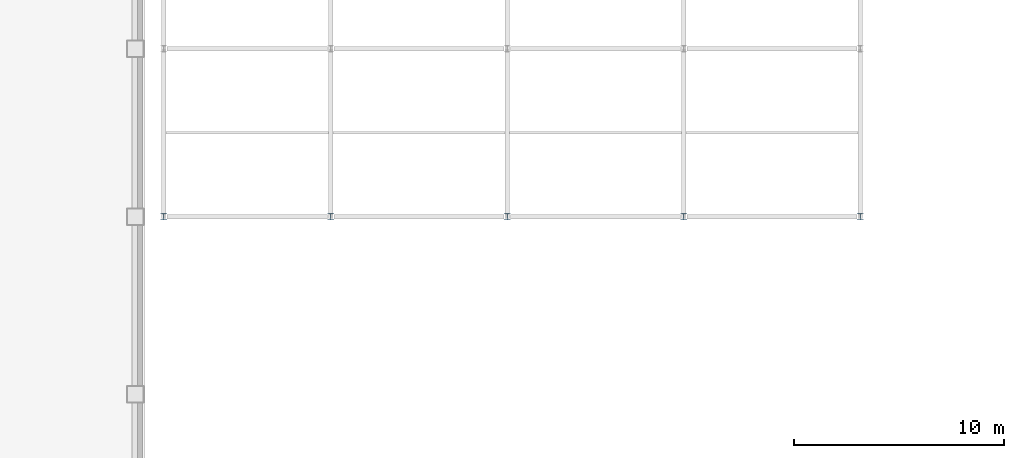
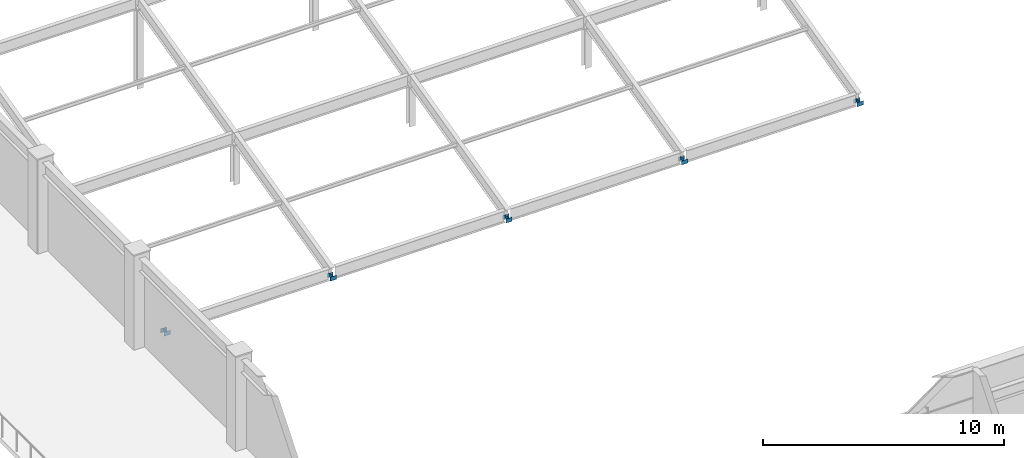
# One storey, part 15 of 93: 5 columns.
"""IFC4 building model written with IfcOpenShell, lengths in metres."""

import ifcopenshell
import ifcopenshell.guid

model = None  # the IFC model being written
_history = None  # IfcOwnerHistory: only IFC2X3 demands one
_inside = {}  # id of a spatial element -> (the spatial element, [elements in it])
_under = {}  # id of a project, library or spatial element -> (it, [spatial elements below it])
_declared = {}  # id of a project -> (the project, [libraries it declares])
_typed = {}  # id of a type object -> (the type object, [elements of that type])
_made_of = {}  # id of a material, layer set ... -> (it, [elements and type objects made of it])


def new_model(schema):
    """Start an empty IFC model of exactly this schema.

    Asked for "IFC4X3", IfcOpenShell would pick the latest addendum, in which some entities
    have other attributes; the version numbers below select the first issue.
    IFC2X3 requires an IfcOwnerHistory on every rooted entity: one is made here for all.
    """
    global model, _history
    if schema == "IFC4X3":
        model = ifcopenshell.file(schema_version=(4, 3, 0, 0))
    else:
        model = ifcopenshell.file(schema=schema)
    _inside.clear()
    _under.clear()
    _declared.clear()
    _typed.clear()
    _made_of.clear()
    _history = None
    if model.schema == "IFC2X3":
        org = make("IfcOrganization", Name="unknown")
        user = make(
            "IfcPersonAndOrganization",
            ThePerson=make("IfcPerson", FamilyName="unknown"),
            TheOrganization=org,
        )
        app = make(
            "IfcApplication",
            ApplicationDeveloper=org,
            Version="unknown",
            ApplicationFullName="unknown",
            ApplicationIdentifier="unknown",
        )
        _history = make(
            "IfcOwnerHistory",
            OwningUser=user,
            OwningApplication=app,
            ChangeAction="ADDED",
            CreationDate=0,
        )
    return model


def make(cls, **values):
    """One entity of the class cls with the attributes given. An attribute that is None is left unset."""
    return model.create_entity(
        cls, **{name: value for name, value in values.items() if value is not None}
    )


def rooted(cls, **values):
    """An entity with a GlobalId (a new one), such as an element, a storey or a relation."""
    return make(cls, GlobalId=ifcopenshell.guid.new(), OwnerHistory=_history, **values)


def si_unit(unit_type, name, prefix=None):
    """IfcSIUnit, for example si_unit("LENGTHUNIT", "METRE", prefix="MILLI")."""
    return make("IfcSIUnit", UnitType=unit_type, Prefix=prefix, Name=name)


def assignment(units):
    """IfcUnitAssignment: the units of a project."""
    return None if units is None else make("IfcUnitAssignment", Units=units)


def point(xyz):
    """IfcCartesianPoint."""
    return None if xyz is None else make("IfcCartesianPoint", Coordinates=xyz)


def direction(xyz):
    """IfcDirection."""
    return None if xyz is None else make("IfcDirection", DirectionRatios=xyz)


def frame(location, z_axis=None, x_axis=None):
    """IfcAxis2Placement3D, a coordinate frame: its origin and axes. An axis left out is left unset."""
    return make(
        "IfcAxis2Placement3D",
        Location=point(location),
        Axis=direction(z_axis),
        RefDirection=direction(x_axis),
    )


def frame_2d(location, x_axis=None):
    """IfcAxis2Placement2D, a coordinate frame in the plane: its origin and x axis."""
    return make(
        "IfcAxis2Placement2D", Location=point(location), RefDirection=direction(x_axis)
    )


def origin():
    """The frame at (0, 0, 0) with its axes left unset."""
    return frame((0.0, 0.0, 0.0))


def origin_2d():
    """The frame at (0, 0) in the plane with its x axis left unset."""
    return frame_2d((0.0, 0.0))


def place(relative_to, where):
    """IfcLocalPlacement: puts the frame where relative to a parent placement (None: the world)."""
    return make(
        "IfcLocalPlacement", PlacementRelTo=relative_to, RelativePlacement=where
    )


def context(
    kind, dimensions, precision=None, world=None, true_north=None, identifier=None
):
    """IfcGeometricRepresentationContext, for example the 3D "Model" context."""
    return make(
        "IfcGeometricRepresentationContext",
        ContextIdentifier=identifier,
        ContextType=kind,
        CoordinateSpaceDimension=dimensions,
        Precision=precision,
        WorldCoordinateSystem=world,
        TrueNorth=true_north,
    )


def subcontext(parent, identifier, kind, view, scale=None):
    """IfcGeometricRepresentationSubContext, for example "Body" below "Model"."""
    return make(
        "IfcGeometricRepresentationSubContext",
        ContextIdentifier=identifier,
        ContextType=kind,
        ParentContext=parent,
        TargetScale=scale,
        TargetView=view,
    )


def project(units=None, contexts=None):
    """IfcProject with its units and contexts."""
    return rooted(
        "IfcProject",
        Name="project",
        RepresentationContexts=contexts,
        UnitsInContext=assignment(units),
    )


def spatial(cls, under=None, at=None, **own):
    """A site, building, storey or space (cls), placed at a placement, below another one or the project."""
    s = rooted(cls, ObjectPlacement=at, **own)
    if under is not None:
        _under.setdefault(under.id(), (under, []))[1].append(s)
    return s


def profile(cls, at=None, kind="AREA", **sizes):
    """A parametric profile (cls). Its sizes go by their IFC names, for example OverallWidth=200.0."""
    return make(cls, ProfileType=kind, Position=at, **sizes)


def i_section(**sizes):
    """IfcIShapeProfileDef."""
    return profile("IfcIShapeProfileDef", **sizes)


def extrude(swept, where, along, depth):
    """IfcExtrudedAreaSolid: the profile swept, set in the frame where, extruded along a direction by depth."""
    return make(
        "IfcExtrudedAreaSolid",
        SweptArea=swept,
        Position=where,
        ExtrudedDirection=direction(along),
        Depth=depth,
    )


def shape(context_of_items, identifier, shape_type, items):
    """IfcShapeRepresentation: the items that make up one representation, for example the "Body"."""
    return make(
        "IfcShapeRepresentation",
        ContextOfItems=context_of_items,
        RepresentationIdentifier=identifier,
        RepresentationType=shape_type,
        Items=items,
    )


def material(Name=None, Category=None):
    """IfcMaterial."""
    return make("IfcMaterial", Name=Name, Category=Category)


def material_profile(
    of_material, cross_section, Name=None, Category=None, Priority=None
):
    """IfcMaterialProfile: a cross section and its material."""
    return make(
        "IfcMaterialProfile",
        Name=Name,
        Material=of_material,
        Profile=cross_section,
        Priority=Priority,
        Category=Category,
    )


def profile_set(profiles, Name=None, composite=None):
    """IfcMaterialProfileSet."""
    return make(
        "IfcMaterialProfileSet",
        Name=Name,
        MaterialProfiles=profiles,
        CompositeProfile=composite,
    )


def made_of(thing, what):
    """Note that an element or type object is made of a material, layer set ...; save() writes the relation."""
    if what is not None:
        _made_of.setdefault(what.id(), (what, []))[1].append(thing)
    return thing


def type_object(cls, material=None, **own):
    """A type object (cls), such as IfcWallType, which elements share."""
    return made_of(rooted(cls, **own), material)


def element(
    cls,
    number,
    at=None,
    inside=None,
    cuts=None,
    type_object=None,
    material=None,
    context=None,
    identifier="Body",
    shape_type=None,
    held_by="IfcProductDefinitionShape",
    body=None,
    shapes=None,
    **own,
):
    """One element of the class cls, such as IfcWall. Its Tag is "e" and its number.

    at: its placement. inside: the storey or other place that contains it. cuts: it is an
    opening in that element (IfcRelVoidsElement). A single representation is given by context,
    identifier, shape_type and body (its items); several are given by shapes. held_by: the class
    of the entity that holds the representations. save() writes the other relations.
    """
    e = rooted(cls, Tag="e%d" % number, ObjectPlacement=at, **own)
    if body is not None:
        shapes = [shape(context, identifier, shape_type, body)]
    if shapes is not None:
        e.Representation = make(held_by, Representations=shapes)
    if inside is not None:
        _inside.setdefault(inside.id(), (inside, []))[1].append(e)
    if cuts is not None:
        rooted(
            "IfcRelVoidsElement", RelatingBuildingElement=cuts, RelatedOpeningElement=e
        )
    if type_object is not None:
        _typed.setdefault(type_object.id(), (type_object, []))[1].append(e)
    return made_of(e, material)


def aggregate(whole, parts):
    """IfcRelAggregates: a whole, such as a stair, and the parts it consists of."""
    return rooted("IfcRelAggregates", RelatingObject=whole, RelatedObjects=parts)


def save(model, path):
    """Write the relations noted so far, then the file.

    IfcRelAggregates (storeys below a building ...), IfcRelContainedInSpatialStructure (elements
    in a storey), IfcRelDefinesByType, IfcRelAssociatesMaterial and IfcRelDeclares: one each for
    every whole, place, type object, material and project.
    """
    for whole, parts in _under.values():
        aggregate(whole, parts)
    for where, things in _inside.values():
        rooted(
            "IfcRelContainedInSpatialStructure",
            RelatedElements=things,
            RelatingStructure=where,
        )
    for kind, things in _typed.values():
        rooted("IfcRelDefinesByType", RelatedObjects=things, RelatingType=kind)
    for what, things in _made_of.values():
        rooted("IfcRelAssociatesMaterial", RelatedObjects=things, RelatingMaterial=what)
    for by, libraries in _declared.values():
        rooted("IfcRelDeclares", RelatingContext=by, RelatedDefinitions=libraries)
    model.write(path)


model = new_model("IFC4")

# Units and contexts
model_context = context("Model", 3, precision=1e-05, world=origin(), true_north=direction((0.0, 1.0)))
body_context = subcontext(model_context, "Body", "Model", "MODEL_VIEW")
ifc_project = project(units=[si_unit("LENGTHUNIT", "METRE"), si_unit("AREAUNIT", "SQUARE_METRE"), si_unit("VOLUMEUNIT", "CUBIC_METRE"), si_unit("PLANEANGLEUNIT", "RADIAN"), si_unit("MASSUNIT", "GRAM", prefix="KILO")], contexts=[model_context])

# Site, building, storey
site_placement = place(None, origin())
site = spatial("IfcSite", under=ifc_project, at=site_placement, CompositionType="ELEMENT")
building_placement = place(site_placement, origin())
building = spatial("IfcBuilding", under=site, at=building_placement, Name="Kazehara Bluff Congress Hotel", CompositionType="ELEMENT")
storey_placement = place(building_placement, frame((0.0, 0.0, 15.0)))
storey = spatial("IfcBuildingStorey", under=building, at=storey_placement, Name="L03", CompositionType="ELEMENT", Elevation=15.0)

# Columns
ifc_material = material(Name="Steel SN400B", Category="steel")
ifc_material_profile = material_profile(ifc_material, i_section(OverallWidth=0.300048828125, OverallDepth=0.300048828125, WebThickness=0.010009765625, FlangeThickness=0.014892578125, FilletRadius=0.012939453125, at=origin_2d()))
ifc_profile_set = profile_set([ifc_material_profile], Name="Steel SN400B")
column_type = type_object("IfcColumnType", Name="TP-C-11", PredefinedType="COLUMN", material=ifc_profile_set)
for number, where, z_axis, x_axis, name in (
    (1, (59.699951171875, 80.89990234375, 0.0), (0.0, 0.0, 1.0), (1.0, 0.0, 0.0), "Spa clerestory roof post (59.70,80.90)"),
    (2, (67.64990234375, 80.89990234375, 0.0), (0.0, 0.0, 1.0), (1.0, 0.0, 0.0), "Spa clerestory roof post (67.65,80.90)"),
    (3, (76.050048828125, 80.89990234375, 0.0), (0.0, 0.0, 1.0), (1.0, 0.0, 0.0), "Spa clerestory roof post (76.05,80.90)"),
    (4, (84.449951171875, 80.89990234375, 0.0), (0.0, 0.0, 1.0), (1.0, 0.0, 0.0), "Spa clerestory roof post (84.45,80.90)"),
    (5, (92.85009765625, 80.89990234375, 0.0), (0.0, 0.0, 1.0), (1.0, 0.0, 0.0), "Spa clerestory roof post (92.85,80.90)"),
):
    element("IfcColumn", number, at=place(storey_placement, frame(where, z_axis=z_axis, x_axis=x_axis)), inside=storey, type_object=column_type, Name=name, PredefinedType="COLUMN", context=body_context, shape_type="SweptSolid", body=[
        extrude(i_section(OverallWidth=0.300048828125, OverallDepth=0.300048828125, WebThickness=0.010009765625, FlangeThickness=0.014892578125, FilletRadius=0.012939453125, at=origin_2d()), origin(), (0.0, 0.0, 1.0), 0.199951171875),
    ])

save(model, "model.ifc")
